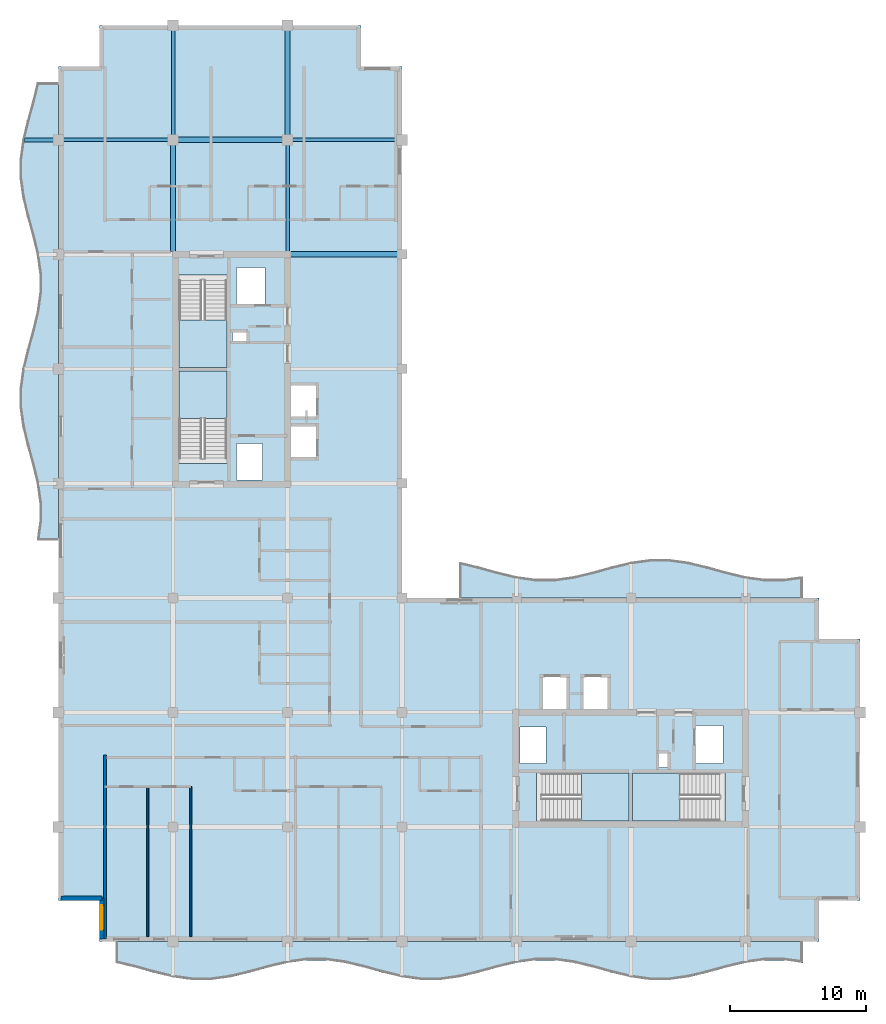
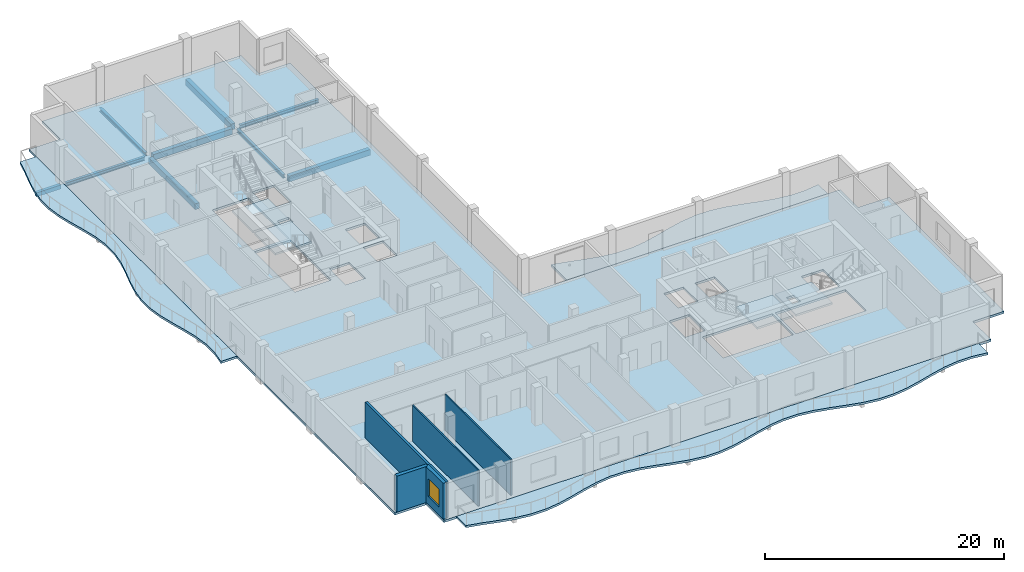
# One storey, part 2 of 12: 9 beams, 8 slabs, 5 walls, 1 window, 1 opening, 4 elements without a shape of their own.
"""IFC4 building model written with IfcOpenShell, lengths in metres."""

from ifc_helpers import new_model, si_unit, direction, frame, frame_2d, origin, origin_2d, place, context, subcontext, project, spatial, polyline, rectangle, i_section, outline, extrude, material, layer, layer_set, material_profile, profile_set, type_object, element, fill, aggregate, save


model = new_model("IFC4")

# Units and contexts
model_context = context("Model", 3, precision=1e-05, world=origin(), true_north=direction((0.0, 1.0)))
body_context = subcontext(model_context, "Body", "Model", "MODEL_VIEW")
ifc_project = project(units=[si_unit("LENGTHUNIT", "METRE"), si_unit("AREAUNIT", "SQUARE_METRE"), si_unit("VOLUMEUNIT", "CUBIC_METRE"), si_unit("PLANEANGLEUNIT", "RADIAN"), si_unit("MASSUNIT", "GRAM", prefix="KILO")], contexts=[model_context])

# Site, building, storey
site_placement = place(None, origin())
site = spatial("IfcSite", under=ifc_project, at=site_placement, CompositionType="ELEMENT")
building_placement = place(site_placement, origin())
building = spatial("IfcBuilding", under=site, at=building_placement, Name="Koriwani Terraces Tower", CompositionType="ELEMENT")
storey_placement = place(building_placement, frame((0.0, 0.0, 328.10009765625)))
storey = spatial("IfcBuildingStorey", under=building, at=storey_placement, Name="L81", CompositionType="ELEMENT", Elevation=328.10009765625)

# Beams
ifc_material_1 = material(Name="Concrete C40/50", Category="concrete")
ifc_material_profile_1 = material_profile(ifc_material_1, rectangle(XDim=0.300048828125, YDim=0.39990234375, at=origin_2d()), Name="Concrete C40/50", Category="LoadBearing")
ifc_profile_set_1 = profile_set([ifc_material_profile_1], Name="Concrete C40/50")
beam_type_1 = type_object("IfcBeamType", Name="BEAM_RC_BALCONY_RIB_300X400", PredefinedType="JOIST", material=ifc_profile_set_1)
beam_1_placement = place(storey_placement, frame((5.919677734375, 67.199951171875, -0.43017578125), z_axis=(1.0, 0.0, 0.0), x_axis=(0.0, 1.0, 0.0)))
element("IfcBeam", 1, at=beam_1_placement, inside=storey, type_object=beam_type_1, Name="L81 Balcony Bracket Rib W-4", PredefinedType="JOIST", context=body_context, shape_type="SweptSolid", body=[
    extrude(rectangle(XDim=0.300048828125, YDim=0.39990234375, at=origin_2d()), origin(), (0.0, 0.0, 1.0), 2.38037109375),
])
ifc_material_profile_2 = material_profile(ifc_material_1, rectangle(XDim=0.39990234375, YDim=0.60009765625, at=origin_2d()), Name="Concrete C40/50", Category="LoadBearing")
ifc_profile_set_2 = profile_set([ifc_material_profile_2], Name="Concrete C40/50")
beam_type_2 = type_object("IfcBeamType", Name="BEAM_RC_GRID_400X600", PredefinedType="BEAM", material=ifc_profile_set_2)
beam_2_placement = place(storey_placement, frame((25.429931640625, 58.800048828125, -0.530029296875), z_axis=(1.0, 0.0, 0.0), x_axis=(0.0, 1.0, 0.0)))
element("IfcBeam", 2, at=beam_2_placement, inside=storey, type_object=beam_type_2, Name="L81 Grid Beam H (25.2-33.6m)", PredefinedType="BEAM", context=body_context, shape_type="SweptSolid", body=[
    extrude(rectangle(XDim=0.39990234375, YDim=0.60009765625, at=origin_2d()), origin(), (0.0, 0.0, 1.0), 7.840087890625),
])
beam_3_placement = place(storey_placement, frame((17.179931640625, 67.199951171875, -0.530029296875), z_axis=(1.0, 0.0, 0.0), x_axis=(0.0, 1.0, 0.0)))
element("IfcBeam", 3, at=beam_3_placement, inside=storey, type_object=beam_type_2, Name="L81 Grid Beam I (16.8-25.2m)", PredefinedType="BEAM", context=body_context, shape_type="SweptSolid", body=[
    extrude(rectangle(XDim=0.39990234375, YDim=0.60009765625, at=origin_2d()), origin(), (0.0, 0.0, 1.0), 7.64013671875),
])
beam_4_placement = place(storey_placement, frame((16.800048828125, 59.030029296875, -0.530029296875), z_axis=(0.0, 1.0, 0.0), x_axis=(-1.0, 0.0, 0.0)))
element("IfcBeam", 4, at=beam_4_placement, inside=storey, type_object=beam_type_2, Name="L81 Grid Beam 3 (58.8-67.2m)", PredefinedType="BEAM", context=body_context, shape_type="SweptSolid", body=[
    extrude(rectangle(XDim=0.39990234375, YDim=0.60009765625, at=origin_2d()), origin(), (0.0, 0.0, 1.0), 7.7900390625),
])
beam_5_placement = place(storey_placement, frame((25.199951171875, 67.580078125, -0.530029296875), z_axis=(0.0, 1.0, 0.0), x_axis=(-1.0, 0.0, 0.0)))
element("IfcBeam", 5, at=beam_5_placement, inside=storey, type_object=beam_type_2, Name="L81 Grid Beam 4 (67.2-75.6m)", PredefinedType="BEAM", context=body_context, shape_type="SweptSolid", body=[
    extrude(rectangle(XDim=0.39990234375, YDim=0.60009765625, at=origin_2d()), origin(), (0.0, 0.0, 1.0), 7.639892578125),
])
ifc_material_2 = material(Name="Steel ASTM A572 Grade 50", Category="steel")
ifc_material_profile_3 = material_profile(ifc_material_2, i_section(OverallWidth=0.257080078125, OverallDepth=0.363037109375, WebThickness=0.012939453125, FlangeThickness=0.021728515625, at=origin_2d()), Name="Steel ASTM A572 Grade 50", Category="LoadBearing")
ifc_profile_set_3 = profile_set([ifc_material_profile_3], Name="Steel ASTM A572 Grade 50")
beam_type_3 = type_object("IfcBeamType", Name="STEEL_BEAM_W360X122", PredefinedType="JOIST", material=ifc_profile_set_3)
for number, where, z_axis, x_axis, name in (
    (6, (8.780029296875, 67.199951171875, -0.41162109375), (1.0, 0.0, 0.0), (0.0, 1.0, 0.0), "L81 Grid Beam I (8.4-16.8m)"),
    (7, (25.580078125, 67.199951171875, -0.41162109375), (1.0, 0.0, 0.0), (0.0, 1.0, 0.0), "L81 Grid Beam I (25.2-33.6m)"),
    (8, (16.800048828125, 67.580078125, -0.41162109375), (0.0, 1.0, 0.0), (-1.0, 0.0, 0.0), "L81 Grid Beam 3 (67.2-75.6m)"),
):
    element("IfcBeam", number, at=place(storey_placement, frame(where, z_axis=z_axis, x_axis=x_axis)), inside=storey, type_object=beam_type_3, Name=name, PredefinedType="JOIST", context=body_context, shape_type="SweptSolid", body=[
        extrude(i_section(OverallWidth=0.257080078125, OverallDepth=0.363037109375, WebThickness=0.012939453125, FlangeThickness=0.021728515625, at=origin_2d()), origin(), (0.0, 0.0, 1.0), 7.639892578125),
    ])
beam_6_placement = place(storey_placement, frame((25.199951171875, 59.030029296875, -0.41162109375), z_axis=(0.0, 1.0, 0.0), x_axis=(-1.0, 0.0, 0.0)))
element("IfcBeam", 9, at=beam_6_placement, inside=storey, type_object=beam_type_3, Name="L81 Grid Beam 4 (58.8-67.2m)", PredefinedType="JOIST", context=body_context, shape_type="SweptSolid", body=[
    extrude(i_section(OverallWidth=0.257080078125, OverallDepth=0.363037109375, WebThickness=0.012939453125, FlangeThickness=0.021728515625, at=origin_2d()), origin(), (0.0, 0.0, 1.0), 7.7900390625),
])

# Slabs
ifc_layer_1 = layer(ifc_material_1, 0.219970703125, Name="Concrete C40/50")
ifc_layer_set_1 = layer_set([ifc_layer_1], Name="Concrete C40/50")
slab_type_1 = type_object("IfcSlabType", Name="SLAB_BALCONY_220", PredefinedType="FLOOR", material=ifc_layer_set_1)
slab_1_placement = place(storey_placement, frame((0.0, 0.0, -0.22021484375)))
element("IfcSlab", 10, at=slab_1_placement, inside=storey, type_object=slab_type_1, Name="L81 Quilted Circular-Arc Balcony (S)", PredefinedType="FLOOR", context=body_context, shape_type="SweptSolid", body=[
    extrude(outline(polyline([(12.60009765625, 8.39990234375), (14.0, 8.39990234375), (15.39990234375, 8.39990234375), (16.800048828125, 8.39990234375), (18.199951171875, 8.39990234375), (19.60009765625, 8.39990234375), (21.0, 8.39990234375), (22.39990234375, 8.39990234375), (23.800048828125, 8.39990234375), (25.199951171875, 8.39990234375), (26.60009765625, 8.39990234375), (28.0, 8.39990234375), (29.39990234375, 8.39990234375), (30.800048828125, 8.39990234375), (32.199951171875, 8.39990234375), (33.60009765625, 8.39990234375), (35.0, 8.39990234375), (36.39990234375, 8.39990234375), (37.800048828125, 8.39990234375), (39.199951171875, 8.39990234375), (40.60009765625, 8.39990234375), (42.0, 8.39990234375), (43.39990234375, 8.39990234375), (44.800048828125, 8.39990234375), (46.199951171875, 8.39990234375), (47.60009765625, 8.39990234375), (49.0, 8.39990234375), (50.39990234375, 8.39990234375), (51.800048828125, 8.39990234375), (53.199951171875, 8.39990234375), (54.60009765625, 8.39990234375), (56.0, 8.39990234375), (57.39990234375, 8.39990234375), (58.800048828125, 8.39990234375), (60.199951171875, 8.39990234375), (61.60009765625, 8.39990234375), (63.0, 8.39990234375), (63.0, 6.830322265625), (61.60009765625, 7.0244140625), (60.199951171875, 7.0244140625), (58.800048828125, 6.830322265625), (57.39990234375, 6.494140625), (56.0, 6.10595703125), (54.60009765625, 5.769775390625), (53.199951171875, 5.57568359375), (51.800048828125, 5.57568359375), (50.39990234375, 5.769775390625), (49.0, 6.10595703125), (47.60009765625, 6.494140625), (46.199951171875, 6.830322265625), (44.800048828125, 7.0244140625), (43.39990234375, 7.0244140625), (42.0, 6.830322265625), (40.60009765625, 6.494140625), (39.199951171875, 6.10595703125), (37.800048828125, 5.769775390625), (36.39990234375, 5.57568359375), (35.0, 5.57568359375), (33.60009765625, 5.769775390625), (32.199951171875, 6.10595703125), (30.800048828125, 6.494140625), (29.39990234375, 6.830322265625), (28.0, 7.0244140625), (26.60009765625, 7.0244140625), (25.199951171875, 6.830322265625), (23.800048828125, 6.494140625), (22.39990234375, 6.10595703125), (21.0, 5.769775390625), (19.60009765625, 5.57568359375), (18.199951171875, 5.57568359375), (16.800048828125, 5.769775390625), (15.39990234375, 6.10595703125), (14.0, 6.494140625), (12.60009765625, 6.830322265625), (12.60009765625, 8.39990234375)])), origin(), (0.0, 0.0, 1.0), 0.22021484375),
])
slab_2_placement = place(storey_placement, frame((0.0, 0.0, -0.22021484375)))
element("IfcSlab", 11, at=slab_2_placement, inside=storey, type_object=slab_type_1, Name="L81 Quilted Circular-Arc Balcony (W)", PredefinedType="FLOOR", context=body_context, shape_type="SweptSolid", body=[
    extrude(outline(polyline([(8.39990234375, 37.800048828125), (8.39990234375, 39.199951171875), (8.39990234375, 40.60009765625), (8.39990234375, 42.0), (8.39990234375, 43.39990234375), (8.39990234375, 44.800048828125), (8.39990234375, 46.199951171875), (8.39990234375, 47.60009765625), (8.39990234375, 49.0), (8.39990234375, 50.39990234375), (8.39990234375, 51.800048828125), (8.39990234375, 53.199951171875), (8.39990234375, 54.60009765625), (8.39990234375, 56.0), (8.39990234375, 57.39990234375), (8.39990234375, 58.800048828125), (8.39990234375, 60.199951171875), (8.39990234375, 61.60009765625), (8.39990234375, 63.0), (8.39990234375, 64.39990234375), (8.39990234375, 65.800048828125), (8.39990234375, 67.199951171875), (8.39990234375, 68.60009765625), (8.39990234375, 70.0), (8.39990234375, 71.39990234375), (6.830322265625, 71.39990234375), (6.494140625, 70.0), (6.10595703125, 68.60009765625), (5.769775390625, 67.199951171875), (5.57568359375, 65.800048828125), (5.57568359375, 64.39990234375), (5.769775390625, 63.0), (6.10595703125, 61.60009765625), (6.494140625, 60.199951171875), (6.830322265625, 58.800048828125), (7.0244140625, 57.39990234375), (7.0244140625, 56.0), (6.830322265625, 54.60009765625), (6.494140625, 53.199951171875), (6.10595703125, 51.800048828125), (5.769775390625, 50.39990234375), (5.57568359375, 49.0), (5.57568359375, 47.60009765625), (5.769775390625, 46.199951171875), (6.10595703125, 44.800048828125), (6.494140625, 43.39990234375), (6.830322265625, 42.0), (7.0244140625, 40.60009765625), (7.0244140625, 39.199951171875), (6.830322265625, 37.800048828125), (8.39990234375, 37.800048828125)])), origin(), (0.0, 0.0, 1.0), 0.22021484375),
])
slab_3_placement = place(storey_placement, frame((0.0, 0.0, -0.22021484375)))
element("IfcSlab", 12, at=slab_3_placement, inside=storey, type_object=slab_type_1, Name="L81 Quilted Circular-Arc Balcony (NE)", PredefinedType="FLOOR", context=body_context, shape_type="SweptSolid", body=[
    extrude(outline(polyline([(63.0, 33.60009765625), (61.60009765625, 33.60009765625), (60.199951171875, 33.60009765625), (58.800048828125, 33.60009765625), (57.39990234375, 33.60009765625), (56.0, 33.60009765625), (54.60009765625, 33.60009765625), (53.199951171875, 33.60009765625), (51.800048828125, 33.60009765625), (50.39990234375, 33.60009765625), (49.0, 33.60009765625), (47.60009765625, 33.60009765625), (46.199951171875, 33.60009765625), (44.800048828125, 33.60009765625), (43.39990234375, 33.60009765625), (42.0, 33.60009765625), (40.60009765625, 33.60009765625), (39.199951171875, 33.60009765625), (37.800048828125, 33.60009765625), (37.800048828125, 36.230224609375), (39.199951171875, 35.89404296875), (40.60009765625, 35.505859375), (42.0, 35.169677734375), (43.39990234375, 34.9755859375), (44.800048828125, 34.9755859375), (46.199951171875, 35.169677734375), (47.60009765625, 35.505859375), (49.0, 35.89404296875), (50.39990234375, 36.230224609375), (51.800048828125, 36.42431640625), (53.199951171875, 36.42431640625), (54.60009765625, 36.230224609375), (56.0, 35.89404296875), (57.39990234375, 35.505859375), (58.800048828125, 35.169677734375), (60.199951171875, 34.9755859375), (61.60009765625, 34.9755859375), (63.0, 35.169677734375), (63.0, 33.60009765625)])), origin(), (0.0, 0.0, 1.0), 0.22021484375),
])
ifc_layer_2 = layer(ifc_material_1, 0.22998046875, Name="Concrete C40/50")
ifc_layer_set_2 = layer_set([ifc_layer_2], Name="Concrete C40/50")
slab_type_2 = type_object("IfcSlabType", Name="SLAB_RES_TYP_230", PredefinedType="FLOOR", material=ifc_layer_set_2)
slab_4_placement = place(storey_placement, frame((0.0, 0.0, -0.22998046875)))
element("IfcSlab", 13, at=slab_4_placement, inside=storey, type_object=slab_type_2, Name="L81 Structural Floor Slab", PredefinedType="FLOOR", context=body_context, shape_type="SweptSolid", body=[
    extrude(outline(polyline([(11.39990234375, 8.39990234375), (64.199951171875, 8.39990234375), (64.199951171875, 11.39990234375), (67.199951171875, 11.39990234375), (67.199951171875, 30.60009765625), (64.199951171875, 30.60009765625), (64.199951171875, 33.60009765625), (33.60009765625, 33.60009765625), (33.60009765625, 72.60009765625), (30.60009765625, 72.60009765625), (30.60009765625, 75.60009765625), (11.39990234375, 75.60009765625), (11.39990234375, 72.60009765625), (8.39990234375, 72.60009765625), (8.39990234375, 11.39990234375), (11.39990234375, 11.39990234375), (11.39990234375, 8.39990234375)]), holes=[polyline([(17.25, 43.4599609375), (20.75, 43.4599609375), (20.75, 50.25), (17.25, 50.25), (17.25, 43.4599609375)]), polyline([(17.25, 50.5), (20.75, 50.5), (20.75, 57.2900390625), (17.25, 57.2900390625), (17.25, 50.5)]), polyline([(43.4599609375, 17.25), (50.25, 17.25), (50.25, 20.75), (43.4599609375, 20.75), (43.4599609375, 17.25)]), polyline([(50.5, 17.25), (57.2900390625, 17.25), (57.2900390625, 20.75), (50.5, 20.75), (50.5, 17.25)]), polyline([(25.449951171875, 43.85009765625), (27.35009765625, 43.85009765625), (27.35009765625, 46.25), (25.449951171875, 46.25), (25.449951171875, 43.85009765625)]), polyline([(25.449951171875, 46.85009765625), (27.35009765625, 46.85009765625), (27.35009765625, 49.25), (25.449951171875, 49.25), (25.449951171875, 46.85009765625)]), polyline([(43.85009765625, 25.449951171875), (45.75, 25.449951171875), (45.75, 27.85009765625), (43.85009765625, 27.85009765625), (43.85009765625, 25.449951171875)]), polyline([(46.85009765625, 25.449951171875), (48.75, 25.449951171875), (48.75, 27.85009765625), (46.85009765625, 27.85009765625), (46.85009765625, 25.449951171875)]), polyline([(21.449951171875, 55.050048828125), (23.550048828125, 55.050048828125), (23.550048828125, 57.85009765625), (21.449951171875, 57.85009765625), (21.449951171875, 55.050048828125)]), polyline([(55.050048828125, 21.449951171875), (57.14990234375, 21.449951171875), (57.14990234375, 24.25), (55.050048828125, 24.25), (55.050048828125, 21.449951171875)]), polyline([(21.449951171875, 42.25), (23.35009765625, 42.25), (23.35009765625, 44.949951171875), (21.449951171875, 44.949951171875), (21.449951171875, 42.25)]), polyline([(42.25, 21.449951171875), (44.14990234375, 21.449951171875), (44.14990234375, 24.14990234375), (42.25, 24.14990234375), (42.25, 21.449951171875)]), polyline([(21.14990234375, 52.419921875), (22.219970703125, 52.419921875), (22.219970703125, 53.179931640625), (21.14990234375, 53.179931640625), (21.14990234375, 52.419921875)]), polyline([(52.419921875, 21.14990234375), (53.179931640625, 21.14990234375), (53.179931640625, 22.219970703125), (52.419921875, 22.219970703125), (52.419921875, 21.14990234375)])]), origin(), (0.0, 0.0, 1.0), 0.22998046875),
])

# Stair, slab
stair_type = type_object("IfcStairType", Name="STAIR_CORE_DOGLEG_1650", PredefinedType="TWO_STRAIGHT_RUN_STAIR", material=ifc_material_1)
stair_1_placement = place(storey_placement, origin())
stair_1 = element("IfcStair", 14, at=stair_1_placement, inside=storey, type_object=stair_type, Name="L81 West Core Exit Stair 1", PredefinedType="HALF_TURN_STAIR")
ifc_layer_3 = layer(ifc_material_1, 0.199951171875, Name="Concrete C40/50")
ifc_layer_set_3 = layer_set([ifc_layer_3], Name="Concrete C40/50")
slab_type_3 = type_object("IfcSlabType", Name="SLAB_STAIR_LANDING_200", PredefinedType="LANDING", material=ifc_layer_set_3)
slab_5_placement = place(storey_placement, frame((0.0, 0.0, 1.75)))
slab_5 = element("IfcSlab", 15, at=slab_5_placement, type_object=slab_type_3, Name="ST-W1 landing 1", PredefinedType="LANDING", context=body_context, shape_type="SweptSolid", body=[
    extrude(outline(polyline([(20.75, 46.75), (20.75, 50.25), (17.25, 50.25), (17.25, 46.75), (20.75, 46.75)])), origin(), (0.0, 0.0, 1.0), 0.199951171875),
])
aggregate(stair_1, [slab_5])

stair_2_placement = place(storey_placement, origin())
stair_2 = element("IfcStair", 16, at=stair_2_placement, inside=storey, type_object=stair_type, Name="L81 West Core Exit Stair 2", PredefinedType="HALF_TURN_STAIR")
slab_6_placement = place(storey_placement, frame((0.0, 0.0, 1.75)))
slab_6 = element("IfcSlab", 17, at=slab_6_placement, type_object=slab_type_3, Name="ST-W2 landing 1", PredefinedType="LANDING", context=body_context, shape_type="SweptSolid", body=[
    extrude(outline(polyline([(17.25, 54.0), (17.25, 50.5), (20.75, 50.5), (20.75, 54.0), (17.25, 54.0)])), origin(), (0.0, 0.0, 1.0), 0.199951171875),
])
aggregate(stair_2, [slab_6])

stair_3_placement = place(storey_placement, origin())
stair_3 = element("IfcStair", 18, at=stair_3_placement, inside=storey, type_object=stair_type, Name="L81 East Core Exit Stair 1", PredefinedType="HALF_TURN_STAIR")
slab_7_placement = place(storey_placement, frame((0.0, 0.0, 1.75)))
slab_7 = element("IfcSlab", 19, at=slab_7_placement, type_object=slab_type_3, Name="ST-E1 landing 1", PredefinedType="LANDING", context=body_context, shape_type="SweptSolid", body=[
    extrude(outline(polyline([(46.75, 17.25), (50.25, 17.25), (50.25, 20.75), (46.75, 20.75), (46.75, 17.25)])), origin(), (0.0, 0.0, 1.0), 0.199951171875),
])
aggregate(stair_3, [slab_7])

stair_4_placement = place(storey_placement, origin())
stair_4 = element("IfcStair", 20, at=stair_4_placement, inside=storey, type_object=stair_type, Name="L81 East Core Exit Stair 2", PredefinedType="HALF_TURN_STAIR")
slab_8_placement = place(storey_placement, frame((0.0, 0.0, 1.75)))
slab_8 = element("IfcSlab", 21, at=slab_8_placement, type_object=slab_type_3, Name="ST-E2 landing 1", PredefinedType="LANDING", context=body_context, shape_type="SweptSolid", body=[
    extrude(outline(polyline([(54.0, 20.75), (50.5, 20.75), (50.5, 17.25), (54.0, 17.25), (54.0, 20.75)])), origin(), (0.0, 0.0, 1.0), 0.199951171875),
])
aggregate(stair_4, [slab_8])

# Wall
ifc_material_3 = material(Name="Autoclaved Cellular Concrete Blockwork", Category="masonry")
ifc_layer_4 = layer(ifc_material_3, 0.219970703125, Name="Autoclaved Cellular Concrete Blockwork")
ifc_layer_set_4 = layer_set([ifc_layer_4], Name="Autoclaved Cellular Concrete Blockwork")
wall_type_1 = type_object("IfcWallType", Name="WALL_DEMISING_220", PredefinedType="PARTITIONING", material=ifc_layer_set_4)
wall_1_placement = place(storey_placement, frame((11.800048828125, 8.60009765625, 0.0), z_axis=(0.0, 0.0, 1.0), x_axis=(0.0, 1.0, 0.0)))
element("IfcWall", 22, at=wall_1_placement, inside=storey, type_object=wall_type_1, Name="L81 Interior Wall WRDEM-L81-SW-0", PredefinedType="PARTITIONING", context=body_context, shape_type="SweptSolid", body=[
    extrude(rectangle(XDim=13.47998046875, YDim=0.219970703125, at=frame_2d((6.739990234375, 0.0))), origin(), (0.0, 0.0, 1.0), 3.669921875),
])

# Wall, opening, window
ifc_material_4 = material(Name="Concrete C50/60", Category="concrete")
ifc_layer_5 = layer(ifc_material_4, 0.35009765625, Name="Concrete C50/60")
ifc_layer_set_5 = layer_set([ifc_layer_5], Name="Concrete C50/60")
wall_type_2 = type_object("IfcWallType", Name="WALL_EXT_BRUTALIST_350", PredefinedType="STANDARD", material=ifc_layer_set_5)
wall_2_placement = place(storey_placement, frame((11.574951171875, 8.574951171875, 0.0), z_axis=(0.0, 0.0, 1.0), x_axis=(0.0, 1.0, 0.0)))
wall_2 = element("IfcWall", 23, at=wall_2_placement, inside=storey, type_object=wall_type_2, Name="L81 Fair-Faced Brutalist Exterior Wall (N0)", PredefinedType="STANDARD", context=body_context, shape_type="SweptSolid", body=[
    extrude(rectangle(XDim=3.0, YDim=0.35009765625, at=frame_2d((1.5, 0.0))), origin(), (0.0, 0.0, 1.0), 3.669921875),
])
opening_placement = place(wall_2_placement, frame((0.677490234375, 0.0, 0.85009765625)))
opening = element("IfcOpeningElement", 24, at=opening_placement, cuts=wall_2, Name="Opening W-04", PredefinedType="OPENING", context=body_context, shape_type="SweptSolid", body=[
    extrude(rectangle(XDim=1.800048828125, YDim=1.800048828125, at=frame_2d((0.89990234375, 0.89990234375))), frame((0.0, 0.18505859375, 0.0), z_axis=(0.0, -1.0, 0.0), x_axis=(1.0, 0.0, 0.0)), (0.0, 0.0, 1.0), 0.3701171875),
])
ifc_material_5 = material(Name="Tempered Laminated Low-E Glass", Category="glass")
window_type = type_object("IfcWindowType", Name="WIN_RES_BED_1800X1800", PartitioningType="DOUBLE_PANEL_VERTICAL", PredefinedType="WINDOW", material=ifc_material_5)
window_placement = place(opening_placement, origin())
window = element("IfcWindow", 25, at=window_placement, inside=storey, type_object=window_type, Name="L81 Exterior Window (N0-R32)", OverallHeight=1.800048828125, OverallWidth=1.800048828125, PartitioningType="SINGLE_PANEL", PredefinedType="WINDOW", context=body_context, shape_type="SweptSolid", body=[
    extrude(rectangle(XDim=1.800048828125, YDim=1.800048828125, at=frame_2d((0.89990234375, 0.89990234375))), frame((0.0, 0.030029296875, 0.0), z_axis=(0.0, -1.0, 0.0), x_axis=(1.0, 0.0, 0.0)), (0.0, 0.0, 1.0), 0.06005859375),
])
fill(opening, window)

# Walls
wall_3_placement = place(storey_placement, frame((11.574951171875, 11.574951171875, 0.0), z_axis=(0.0, 0.0, 1.0), x_axis=(-1.0, 0.0, 0.0)))
element("IfcWall", 26, at=wall_3_placement, inside=storey, type_object=wall_type_2, Name="L81 Fair-Faced Brutalist Exterior Wall (N1)", PredefinedType="STANDARD", context=body_context, shape_type="SweptSolid", body=[
    extrude(rectangle(XDim=3.0, YDim=0.35009765625, at=frame_2d((1.5, 0.0))), origin(), (0.0, 0.0, 1.0), 3.669921875),
])
ifc_material_6 = material(Name="Fire-Rated Acoustic Gypsum Partition", Category="masonry")
ifc_layer_6 = layer(ifc_material_6, 0.125, Name="Fire-Rated Acoustic Gypsum Partition")
ifc_layer_set_6 = layer_set([ifc_layer_6], Name="Fire-Rated Acoustic Gypsum Partition")
wall_type_3 = type_object("IfcWallType", Name="WALL_INT_125", PredefinedType="PARTITIONING", material=ifc_layer_set_6)
for number, where, z_axis, x_axis, name in (
    (27, (14.949951171875, 8.75, 0.0), (0.0, 0.0, 1.0), (0.0, 1.0, 0.0), "L81 Interior Wall WRB12-L81-SW-0"),
    (28, (18.10009765625, 8.75, 0.0), (0.0, 0.0, 1.0), (0.0, 1.0, 0.0), "L81 Interior Wall WRB2L-L81-SW-0"),
):
    element("IfcWall", number, at=place(storey_placement, frame(where, z_axis=z_axis, x_axis=x_axis)), inside=storey, type_object=wall_type_3, Name=name, PredefinedType="PARTITIONING", context=body_context, shape_type="SweptSolid", body=[
        extrude(rectangle(XDim=11.0, YDim=0.125, at=frame_2d((5.5, 0.0))), origin(), (0.0, 0.0, 1.0), 3.669921875),
    ])

save(model, "model.ifc")
